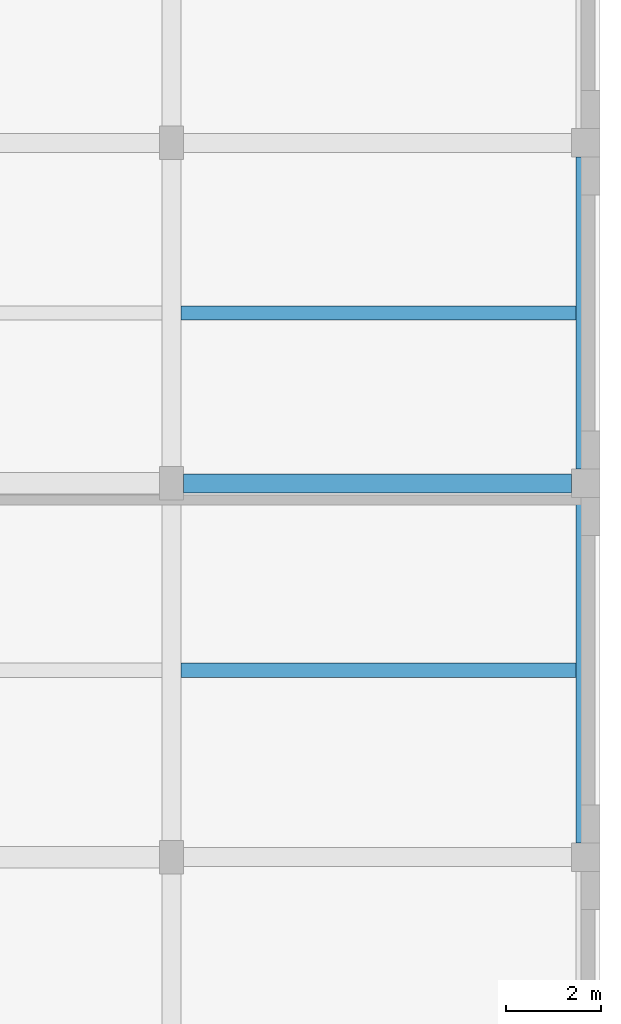
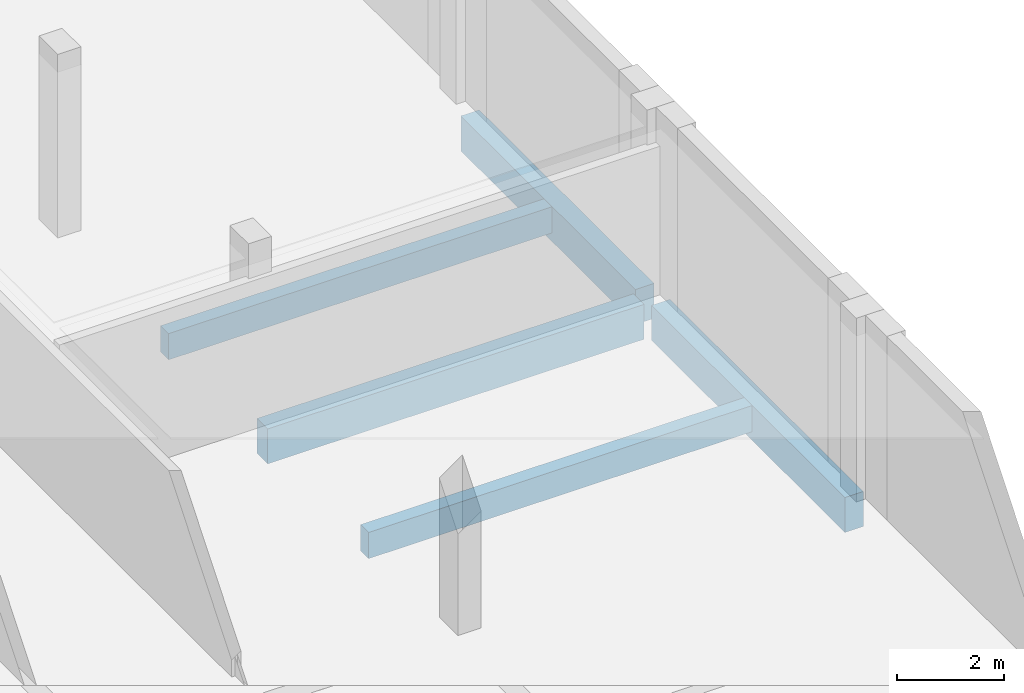
# One storey, part 23 of 98: 5 beams.
"""IFC4 building model written with IfcOpenShell, lengths in metres."""

import ifcopenshell
import ifcopenshell.guid

model = None  # the IFC model being written
_history = None  # IfcOwnerHistory: only IFC2X3 demands one
_inside = {}  # id of a spatial element -> (the spatial element, [elements in it])
_under = {}  # id of a project, library or spatial element -> (it, [spatial elements below it])
_declared = {}  # id of a project -> (the project, [libraries it declares])
_typed = {}  # id of a type object -> (the type object, [elements of that type])
_made_of = {}  # id of a material, layer set ... -> (it, [elements and type objects made of it])


def new_model(schema):
    """Start an empty IFC model of exactly this schema.

    Asked for "IFC4X3", IfcOpenShell would pick the latest addendum, in which some entities
    have other attributes; the version numbers below select the first issue.
    IFC2X3 requires an IfcOwnerHistory on every rooted entity: one is made here for all.
    """
    global model, _history
    if schema == "IFC4X3":
        model = ifcopenshell.file(schema_version=(4, 3, 0, 0))
    else:
        model = ifcopenshell.file(schema=schema)
    _inside.clear()
    _under.clear()
    _declared.clear()
    _typed.clear()
    _made_of.clear()
    _history = None
    if model.schema == "IFC2X3":
        org = make("IfcOrganization", Name="unknown")
        user = make(
            "IfcPersonAndOrganization",
            ThePerson=make("IfcPerson", FamilyName="unknown"),
            TheOrganization=org,
        )
        app = make(
            "IfcApplication",
            ApplicationDeveloper=org,
            Version="unknown",
            ApplicationFullName="unknown",
            ApplicationIdentifier="unknown",
        )
        _history = make(
            "IfcOwnerHistory",
            OwningUser=user,
            OwningApplication=app,
            ChangeAction="ADDED",
            CreationDate=0,
        )
    return model


def make(cls, **values):
    """One entity of the class cls with the attributes given. An attribute that is None is left unset."""
    return model.create_entity(
        cls, **{name: value for name, value in values.items() if value is not None}
    )


def rooted(cls, **values):
    """An entity with a GlobalId (a new one), such as an element, a storey or a relation."""
    return make(cls, GlobalId=ifcopenshell.guid.new(), OwnerHistory=_history, **values)


def si_unit(unit_type, name, prefix=None):
    """IfcSIUnit, for example si_unit("LENGTHUNIT", "METRE", prefix="MILLI")."""
    return make("IfcSIUnit", UnitType=unit_type, Prefix=prefix, Name=name)


def assignment(units):
    """IfcUnitAssignment: the units of a project."""
    return None if units is None else make("IfcUnitAssignment", Units=units)


def point(xyz):
    """IfcCartesianPoint."""
    return None if xyz is None else make("IfcCartesianPoint", Coordinates=xyz)


def direction(xyz):
    """IfcDirection."""
    return None if xyz is None else make("IfcDirection", DirectionRatios=xyz)


def frame(location, z_axis=None, x_axis=None):
    """IfcAxis2Placement3D, a coordinate frame: its origin and axes. An axis left out is left unset."""
    return make(
        "IfcAxis2Placement3D",
        Location=point(location),
        Axis=direction(z_axis),
        RefDirection=direction(x_axis),
    )


def frame_2d(location, x_axis=None):
    """IfcAxis2Placement2D, a coordinate frame in the plane: its origin and x axis."""
    return make(
        "IfcAxis2Placement2D", Location=point(location), RefDirection=direction(x_axis)
    )


def origin():
    """The frame at (0, 0, 0) with its axes left unset."""
    return frame((0.0, 0.0, 0.0))


def origin_2d():
    """The frame at (0, 0) in the plane with its x axis left unset."""
    return frame_2d((0.0, 0.0))


def place(relative_to, where):
    """IfcLocalPlacement: puts the frame where relative to a parent placement (None: the world)."""
    return make(
        "IfcLocalPlacement", PlacementRelTo=relative_to, RelativePlacement=where
    )


def context(
    kind, dimensions, precision=None, world=None, true_north=None, identifier=None
):
    """IfcGeometricRepresentationContext, for example the 3D "Model" context."""
    return make(
        "IfcGeometricRepresentationContext",
        ContextIdentifier=identifier,
        ContextType=kind,
        CoordinateSpaceDimension=dimensions,
        Precision=precision,
        WorldCoordinateSystem=world,
        TrueNorth=true_north,
    )


def subcontext(parent, identifier, kind, view, scale=None):
    """IfcGeometricRepresentationSubContext, for example "Body" below "Model"."""
    return make(
        "IfcGeometricRepresentationSubContext",
        ContextIdentifier=identifier,
        ContextType=kind,
        ParentContext=parent,
        TargetScale=scale,
        TargetView=view,
    )


def project(units=None, contexts=None):
    """IfcProject with its units and contexts."""
    return rooted(
        "IfcProject",
        Name="project",
        RepresentationContexts=contexts,
        UnitsInContext=assignment(units),
    )


def spatial(cls, under=None, at=None, **own):
    """A site, building, storey or space (cls), placed at a placement, below another one or the project."""
    s = rooted(cls, ObjectPlacement=at, **own)
    if under is not None:
        _under.setdefault(under.id(), (under, []))[1].append(s)
    return s


def profile(cls, at=None, kind="AREA", **sizes):
    """A parametric profile (cls). Its sizes go by their IFC names, for example OverallWidth=200.0."""
    return make(cls, ProfileType=kind, Position=at, **sizes)


def rectangle(**sizes):
    """IfcRectangleProfileDef."""
    return profile("IfcRectangleProfileDef", **sizes)


def extrude(swept, where, along, depth):
    """IfcExtrudedAreaSolid: the profile swept, set in the frame where, extruded along a direction by depth."""
    return make(
        "IfcExtrudedAreaSolid",
        SweptArea=swept,
        Position=where,
        ExtrudedDirection=direction(along),
        Depth=depth,
    )


def shape(context_of_items, identifier, shape_type, items):
    """IfcShapeRepresentation: the items that make up one representation, for example the "Body"."""
    return make(
        "IfcShapeRepresentation",
        ContextOfItems=context_of_items,
        RepresentationIdentifier=identifier,
        RepresentationType=shape_type,
        Items=items,
    )


def material(Name=None, Category=None):
    """IfcMaterial."""
    return make("IfcMaterial", Name=Name, Category=Category)


def material_profile(
    of_material, cross_section, Name=None, Category=None, Priority=None
):
    """IfcMaterialProfile: a cross section and its material."""
    return make(
        "IfcMaterialProfile",
        Name=Name,
        Material=of_material,
        Profile=cross_section,
        Priority=Priority,
        Category=Category,
    )


def profile_set(profiles, Name=None, composite=None):
    """IfcMaterialProfileSet."""
    return make(
        "IfcMaterialProfileSet",
        Name=Name,
        MaterialProfiles=profiles,
        CompositeProfile=composite,
    )


def made_of(thing, what):
    """Note that an element or type object is made of a material, layer set ...; save() writes the relation."""
    if what is not None:
        _made_of.setdefault(what.id(), (what, []))[1].append(thing)
    return thing


def type_object(cls, material=None, **own):
    """A type object (cls), such as IfcWallType, which elements share."""
    return made_of(rooted(cls, **own), material)


def element(
    cls,
    number,
    at=None,
    inside=None,
    cuts=None,
    type_object=None,
    material=None,
    context=None,
    identifier="Body",
    shape_type=None,
    held_by="IfcProductDefinitionShape",
    body=None,
    shapes=None,
    **own,
):
    """One element of the class cls, such as IfcWall. Its Tag is "e" and its number.

    at: its placement. inside: the storey or other place that contains it. cuts: it is an
    opening in that element (IfcRelVoidsElement). A single representation is given by context,
    identifier, shape_type and body (its items); several are given by shapes. held_by: the class
    of the entity that holds the representations. save() writes the other relations.
    """
    e = rooted(cls, Tag="e%d" % number, ObjectPlacement=at, **own)
    if body is not None:
        shapes = [shape(context, identifier, shape_type, body)]
    if shapes is not None:
        e.Representation = make(held_by, Representations=shapes)
    if inside is not None:
        _inside.setdefault(inside.id(), (inside, []))[1].append(e)
    if cuts is not None:
        rooted(
            "IfcRelVoidsElement", RelatingBuildingElement=cuts, RelatedOpeningElement=e
        )
    if type_object is not None:
        _typed.setdefault(type_object.id(), (type_object, []))[1].append(e)
    return made_of(e, material)


def aggregate(whole, parts):
    """IfcRelAggregates: a whole, such as a stair, and the parts it consists of."""
    return rooted("IfcRelAggregates", RelatingObject=whole, RelatedObjects=parts)


def save(model, path):
    """Write the relations noted so far, then the file.

    IfcRelAggregates (storeys below a building ...), IfcRelContainedInSpatialStructure (elements
    in a storey), IfcRelDefinesByType, IfcRelAssociatesMaterial and IfcRelDeclares: one each for
    every whole, place, type object, material and project.
    """
    for whole, parts in _under.values():
        aggregate(whole, parts)
    for where, things in _inside.values():
        rooted(
            "IfcRelContainedInSpatialStructure",
            RelatedElements=things,
            RelatingStructure=where,
        )
    for kind, things in _typed.values():
        rooted("IfcRelDefinesByType", RelatedObjects=things, RelatingType=kind)
    for what, things in _made_of.values():
        rooted("IfcRelAssociatesMaterial", RelatedObjects=things, RelatingMaterial=what)
    for by, libraries in _declared.values():
        rooted("IfcRelDeclares", RelatingContext=by, RelatedDefinitions=libraries)
    model.write(path)


model = new_model("IFC4")

# Units and contexts
model_context = context("Model", 3, precision=1e-05, world=origin(), true_north=direction((0.0, 1.0)))
body_context = subcontext(model_context, "Body", "Model", "MODEL_VIEW")
ifc_project = project(units=[si_unit("LENGTHUNIT", "METRE"), si_unit("AREAUNIT", "SQUARE_METRE"), si_unit("VOLUMEUNIT", "CUBIC_METRE"), si_unit("PLANEANGLEUNIT", "RADIAN"), si_unit("MASSUNIT", "GRAM", prefix="KILO")], contexts=[model_context])

# Site, building, storey
site_placement = place(None, origin())
site = spatial("IfcSite", under=ifc_project, at=site_placement, CompositionType="ELEMENT")
building_placement = place(site_placement, origin())
building = spatial("IfcBuilding", under=site, at=building_placement, Name="Sun Court Science Centre", CompositionType="ELEMENT")
storey_placement = place(building_placement, frame((0.0, 0.0, 15.75)))
storey = spatial("IfcBuildingStorey", under=building, at=storey_placement, Name="L03", CompositionType="ELEMENT", Elevation=15.75)

# Beams
ifc_material_1 = material(Name="Concrete C25/30", Category="concrete")
ifc_material_profile_1 = material_profile(ifc_material_1, rectangle(XDim=0.39990234375, YDim=0.800048828125, at=origin_2d()), Name="RC 400x800")
ifc_profile_set_1 = profile_set([ifc_material_profile_1], Name="Concrete C25/30")
beam_type_1 = type_object("IfcBeamType", Name="RC girder 400x800", PredefinedType="BEAM", material=ifc_profile_set_1)
beam_1_placement = place(storey_placement, frame((95.25, 28.85009765625, -0.699951171875), z_axis=(1.0, 0.0, 0.0), x_axis=(0.0, 1.0, 0.0)))
element("IfcBeam", 1, at=beam_1_placement, inside=storey, type_object=beam_type_1, Name="Girder L03 row 4", PredefinedType="BEAM", context=body_context, shape_type="SweptSolid", body=[
    extrude(rectangle(XDim=0.39990234375, YDim=0.800048828125, at=origin_2d()), origin(), (0.0, 0.0, 1.0), 8.14990234375),
])
beam_2_placement = place(storey_placement, frame((103.699951171875, 21.300048828125, -0.699951171875), z_axis=(0.0, 1.0, 0.0), x_axis=(-1.0, 0.0, 0.0)))
element("IfcBeam", 2, at=beam_2_placement, inside=storey, type_object=beam_type_1, Name="Girder L03 line 4", PredefinedType="BEAM", context=body_context, shape_type="SweptSolid", body=[
    extrude(rectangle(XDim=0.39990234375, YDim=0.800048828125, at=origin_2d()), origin(), (0.0, 0.0, 1.0), 7.25),
])
beam_3_placement = place(storey_placement, frame((103.699951171875, 29.14990234375, -0.699951171875), z_axis=(0.0, 1.0, 0.0), x_axis=(-1.0, 0.0, 0.0)))
element("IfcBeam", 3, at=beam_3_placement, inside=storey, type_object=beam_type_1, Name="Girder L03 line 4", PredefinedType="BEAM", context=body_context, shape_type="SweptSolid", body=[
    extrude(rectangle(XDim=0.39990234375, YDim=0.800048828125, at=origin_2d()), origin(), (0.0, 0.0, 1.0), 6.550048828125),
])
ifc_material_2 = material(Name="Concrete C25/30", Category="concrete")
ifc_material_profile_2 = material_profile(ifc_material_2, rectangle(XDim=0.300048828125, YDim=0.60009765625, at=origin_2d()), Name="RC 300x600")
ifc_profile_set_2 = profile_set([ifc_material_profile_2], Name="Concrete C25/30")
beam_type_2 = type_object("IfcBeamType", Name="RC joist 300x600", PredefinedType="JOIST", material=ifc_profile_set_2)
for number, where, z_axis, x_axis, name in (
    (4, (95.199951171875, 24.925048828125, -0.60009765625), (1.0, 0.0, 0.0), (0.0, 1.0, 0.0), "Joist L03"),
    (5, (95.199951171875, 32.425048828125, -0.60009765625), (1.0, 0.0, 0.0), (0.0, 1.0, 0.0), "Joist L03"),
):
    element("IfcBeam", number, at=place(storey_placement, frame(where, z_axis=z_axis, x_axis=x_axis)), inside=storey, type_object=beam_type_2, Name=name, PredefinedType="JOIST", context=body_context, shape_type="SweptSolid", body=[
        extrude(rectangle(XDim=0.300048828125, YDim=0.60009765625, at=origin_2d()), origin(), (0.0, 0.0, 1.0), 8.300048828125),
    ])

save(model, "model.ifc")
